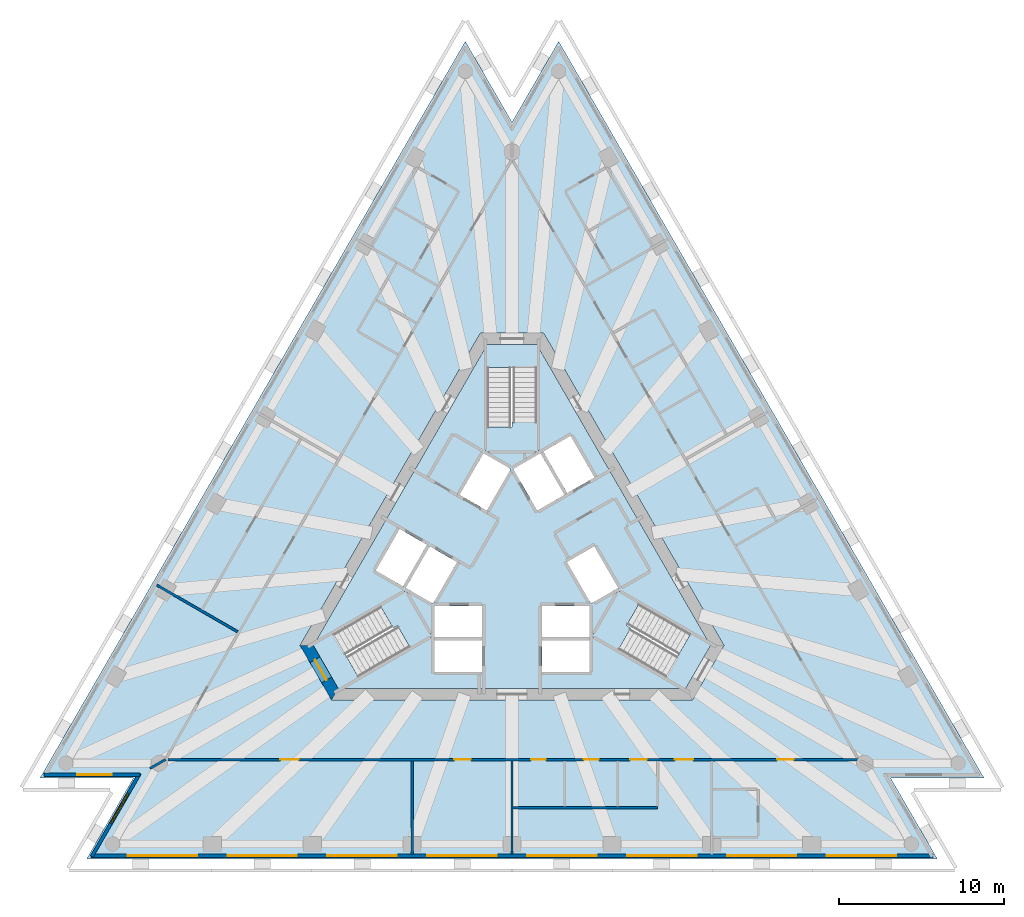
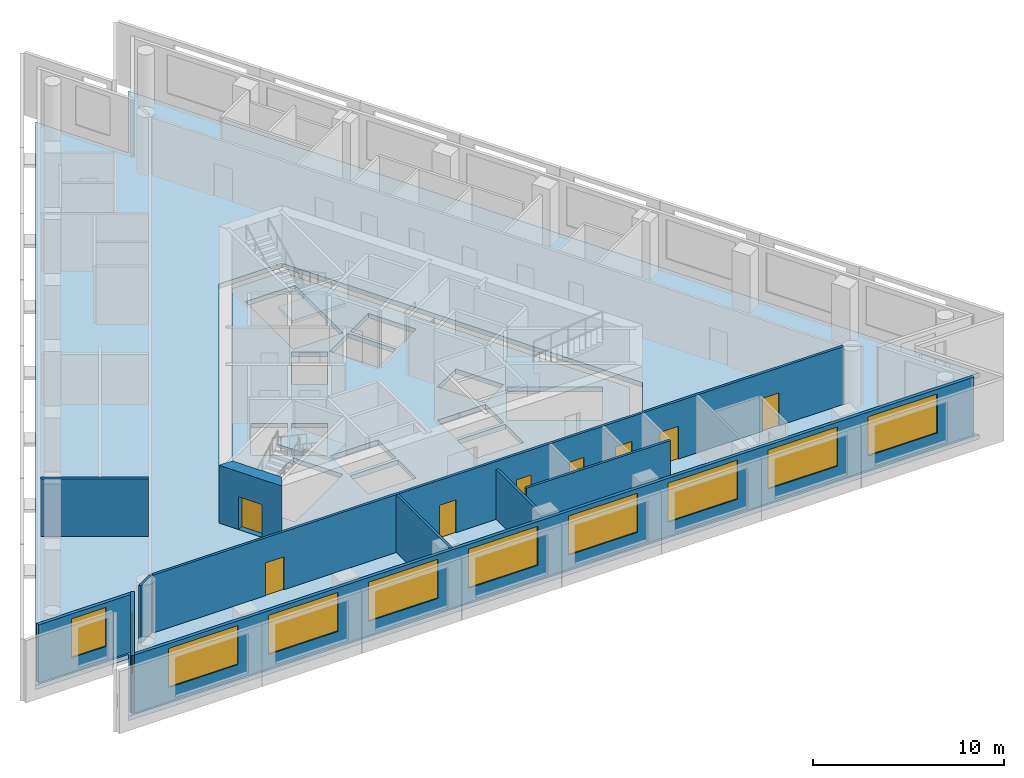
# One storey, part 2 of 9: 10 walls, 10 windows, 8 doors, 5 slabs, 18 openings, 3 elements without a shape of their own.
"""IFC4 building model written with IfcOpenShell, lengths in metres."""

from ifc_helpers import new_model, si_unit, direction, frame, frame_2d, origin, place, context, subcontext, project, spatial, polyline, rectangle, outline, extrude, material, layer, layer_set, layer_usage, type_object, element, fill, aggregate, save


model = new_model("IFC4")

# Units and contexts
model_context = context("Model", 3, precision=1e-05, world=origin(), true_north=direction((0.0, 1.0)))
body_context = subcontext(model_context, "Body", "Model", "MODEL_VIEW")
ifc_project = project(units=[si_unit("LENGTHUNIT", "METRE"), si_unit("AREAUNIT", "SQUARE_METRE"), si_unit("VOLUMEUNIT", "CUBIC_METRE"), si_unit("PLANEANGLEUNIT", "RADIAN"), si_unit("MASSUNIT", "GRAM", prefix="KILO")], contexts=[model_context])

# Site, building, storey
site_placement = place(None, origin())
site = spatial("IfcSite", under=ifc_project, at=site_placement, CompositionType="ELEMENT")
building_placement = place(site_placement, origin())
building = spatial("IfcBuilding", under=site, at=building_placement, Name="Triada Interchange Tower", CompositionType="ELEMENT")
storey_placement = place(building_placement, frame((0.0, 0.0, 223.300048828125)))
storey = spatial("IfcBuildingStorey", under=building, at=storey_placement, Name="L52", CompositionType="ELEMENT", Elevation=223.300048828125)

# Slabs
ifc_material_1 = material(Name="Concrete C50/60", Category="concrete")
ifc_layer_1 = layer(ifc_material_1, 0.300048828125)
ifc_layer_set_1 = layer_set([ifc_layer_1], Name="Floor slab 300")
slab_type_1 = type_object("IfcSlabType", Name="Floor slab 300", PredefinedType="FLOOR", material=ifc_layer_set_1)
slab_1_placement = place(storey_placement, frame((0.0, 0.0, -0.300048828125)))
element("IfcSlab", 1, at=slab_1_placement, inside=storey, type_object=slab_type_1, Name="Floor slab L52", PredefinedType="FLOOR", context=body_context, shape_type="SweptSolid", body=[
    extrude(outline(polyline([(-2.822998046875, 31.330078125), (-28.5439453125, -13.219970703125), (-22.89794921875, -13.219970703125), (-25.720947265625, -18.110107421875), (25.720947265625, -18.110107421875), (22.89794921875, -13.219970703125), (28.5439453125, -13.219970703125), (2.822998046875, 31.330078125), (0.0, 26.44091796875), (-2.822998046875, 31.330078125)]), holes=[polyline([(1.905029296875, 13.699951171875), (-1.905029296875, 13.699951171875), (-12.81689453125, -5.199951171875), (-10.912109375, -8.5), (10.912109375, -8.5), (12.81689453125, -5.199951171875), (1.905029296875, 13.699951171875)])]), origin(), (0.0, 0.0, 1.0), 0.300048828125),
])
slab_2_placement = place(storey_placement, frame((0.0, 0.0, -0.300048828125)))
element("IfcSlab", 2, at=slab_2_placement, inside=storey, type_object=slab_type_1, Name="Core floor slab L52 1", PredefinedType="FLOOR", context=body_context, shape_type="SweptSolid", body=[
    extrude(outline(polyline([(12.009033203125, -5.199951171875), (10.508056640625, -7.800048828125), (-10.508056640625, -7.800048828125), (-12.009033203125, -5.199951171875), (-1.5009765625, 13.0), (1.5009765625, 13.0), (12.009033203125, -5.199951171875)]), holes=[polyline([(9.2958984375, -7.09912109375), (10.7958984375, -4.5009765625), (6.466064453125, -2.0009765625), (4.966064453125, -4.59912109375), (9.2958984375, -7.09912109375)]), polyline([(4.77490234375, -2.669921875), (6.419921875, -1.719970703125), (4.969970703125, 0.791015625), (4.137939453125, 0.31103515625), (3.324951171875, -0.158935546875), (4.77490234375, -2.669921875)]), polyline([(1.89404296875, 6.52001953125), (3.343994140625, 4.009033203125), (4.989013671875, 4.958984375), (3.5390625, 7.469970703125), (1.89404296875, 6.52001953125)]), polyline([(1.800048828125, -4.89990234375), (1.800048828125, -6.4990234375), (1.800048828125, -6.800048828125), (4.699951171875, -6.800048828125), (4.699951171875, -4.89990234375), (1.800048828125, -4.89990234375)]), polyline([(4.699951171875, -2.800048828125), (1.800048828125, -2.800048828125), (1.800048828125, -4.699951171875), (4.699951171875, -4.699951171875), (4.699951171875, -2.800048828125)]), polyline([(0.074951171875, 5.469970703125), (1.52490234375, 2.958984375), (3.169921875, 3.908935546875), (1.719970703125, 6.419921875), (0.074951171875, 5.469970703125)]), polyline([(-1.5, 11.60009765625), (-1.5, 6.60009765625), (1.5, 6.60009765625), (1.5, 11.60009765625), (-1.5, 11.60009765625)]), polyline([(-1.52490234375, 2.958984375), (-0.074951171875, 5.469970703125), (-1.719970703125, 6.419921875), (-3.169921875, 3.908935546875), (-1.52490234375, 2.958984375)]), polyline([(-1.800048828125, -2.800048828125), (-4.699951171875, -2.800048828125), (-4.699951171875, -4.699951171875), (-1.800048828125, -4.699951171875), (-1.800048828125, -2.800048828125)]), polyline([(-4.699951171875, -6.800048828125), (-1.800048828125, -6.800048828125), (-1.800048828125, -6.4990234375), (-1.800048828125, -4.89990234375), (-4.699951171875, -4.89990234375), (-4.699951171875, -6.800048828125)]), polyline([(-3.367919921875, -0.134033203125), (-4.969970703125, 0.791015625), (-6.419921875, -1.719970703125), (-4.77490234375, -2.669921875), (-3.324951171875, -0.158935546875), (-3.367919921875, -0.134033203125)]), polyline([(-10.7958984375, -4.5009765625), (-9.2958984375, -7.09912109375), (-4.966064453125, -4.59912109375), (-6.466064453125, -2.0009765625), (-10.7958984375, -4.5009765625)]), polyline([(-6.593994140625, -1.6201171875), (-5.14404296875, 0.89111328125), (-6.7890625, 1.841064453125), (-8.239013671875, -0.669921875), (-6.593994140625, -1.6201171875)])]), origin(), (0.0, 0.0, 1.0), 0.300048828125),
])

# Stair, slab
ifc_material_2 = material(Name="Concrete C35/45", Category="concrete")
stair_type = type_object("IfcStairType", Name="HALF TURN STAIR 1400", PredefinedType="HALF_TURN_STAIR", material=ifc_material_2)
stair_1_placement = place(storey_placement, origin())
stair_1 = element("IfcStair", 3, at=stair_1_placement, inside=storey, type_object=stair_type, Name="Exit stair S50-1", PredefinedType="HALF_TURN_STAIR")
ifc_layer_2 = layer(ifc_material_2, 0.199951171875)
ifc_layer_set_2 = layer_set([ifc_layer_2], Name="STAIR LANDING 200")
slab_type_2 = type_object("IfcSlabType", Name="STAIR LANDING 200", PredefinedType="LANDING", material=ifc_layer_set_2)
slab_3_placement = place(storey_placement, frame((0.0, 0.0, 1.719970703125)))
slab_3 = element("IfcSlab", 4, at=slab_3_placement, type_object=slab_type_2, Name="S50-1 landing 1", PredefinedType="LANDING", context=body_context, shape_type="SweptSolid", body=[
    extrude(outline(polyline([(1.60009765625, 6.5), (1.60009765625, 8.300048828125), (0.0, 8.300048828125), (0.0, 8.0), (-1.60009765625, 8.0), (-1.60009765625, 6.5), (1.60009765625, 6.5)])), origin(), (0.0, 0.0, 1.0), 0.199951171875),
])
aggregate(stair_1, [slab_3])

stair_2_placement = place(storey_placement, origin())
stair_2 = element("IfcStair", 5, at=stair_2_placement, inside=storey, type_object=stair_type, Name="Exit stair S50-2", PredefinedType="HALF_TURN_STAIR")
slab_4_placement = place(storey_placement, frame((0.0, 0.0, 1.719970703125)))
slab_4 = element("IfcSlab", 6, at=slab_4_placement, type_object=slab_type_2, Name="S50-2 landing 1", PredefinedType="LANDING", context=body_context, shape_type="SweptSolid", body=[
    extrude(outline(polyline([(-6.428955078125, -1.864013671875), (-7.988037109375, -2.763916015625), (-7.18798828125, -4.14990234375), (-6.927978515625, -4.0), (-6.1279296875, -5.385986328125), (-4.8291015625, -4.635986328125), (-6.428955078125, -1.864013671875)])), origin(), (0.0, 0.0, 1.0), 0.199951171875),
])
aggregate(stair_2, [slab_4])

stair_3_placement = place(storey_placement, origin())
stair_3 = element("IfcStair", 7, at=stair_3_placement, inside=storey, type_object=stair_type, Name="Exit stair S50-3", PredefinedType="HALF_TURN_STAIR")
slab_5_placement = place(storey_placement, frame((0.0, 0.0, 1.719970703125)))
slab_5 = element("IfcSlab", 8, at=slab_5_placement, type_object=slab_type_2, Name="S50-3 landing 1", PredefinedType="LANDING", context=body_context, shape_type="SweptSolid", body=[
    extrude(outline(polyline([(4.8291015625, -4.635986328125), (6.387939453125, -5.535888671875), (7.18798828125, -4.14990234375), (6.927978515625, -4.0), (7.72802734375, -2.614013671875), (6.428955078125, -1.864013671875), (4.8291015625, -4.635986328125)])), origin(), (0.0, 0.0, 1.0), 0.199951171875),
])
aggregate(stair_3, [slab_5])

# Wall, opening, door
ifc_layer_3 = layer(ifc_material_1, 0.699951171875)
ifc_layer_set_3 = layer_set([ifc_layer_3], Name="Core wall C 700")
wall_type_1 = type_object("IfcWallType", Name="Core wall C 700", PredefinedType="SHEAR", material=ifc_layer_set_3)
wall_1_placement = place(storey_placement, frame((-12.4130859375, -5.199951171875, -0.300048828125), z_axis=(0.0, 0.0, 1.0), x_axis=(0.49999337185, -0.866029230515, 0.0)))
wall_1 = element("IfcWall", 9, at=wall_1_placement, inside=storey, type_object=wall_type_1, Name="Core wall WC03 L52", PredefinedType="SHEAR", context=body_context, shape_type="SweptSolid", body=[
    extrude(outline(polyline([(-0.201904296875, -0.35009765625), (1.703125, -0.35009765625), (3.60791015625, -0.35009765625), (3.2041015625, 0.35009765625), (1.703125, 0.35009765625), (0.201904296875, 0.35009765625), (-0.201904296875, -0.35009765625)])), origin(), (0.0, 0.0, 1.0), 4.0),
])
opening_1_placement = place(wall_1_placement, frame((1.0029296875, 0.0, 0.300048828125)))
opening_1 = element("IfcOpeningElement", 10, at=opening_1_placement, cuts=wall_1, Name="Opening D50-40", PredefinedType="OPENING", context=body_context, shape_type="SweptSolid", body=[
    extrude(rectangle(XDim=1.39990234375, YDim=2.10009765625, at=frame_2d((0.699951171875, 1.050048828125))), frame((0.0, 0.360107421875, 0.0), z_axis=(0.0, -1.0, 0.0), x_axis=(1.0, 0.0, 0.0)), (0.0, 0.0, 1.0), 0.72021484375),
])
ifc_material_3 = material(Name="Steel S235 door leaf", Category="steel")
door_type_1 = type_object("IfcDoorType", Name="STAIR DOOR 1400 EI2 90-C5S200", OperationType="DOUBLE_DOOR_SINGLE_SWING", PredefinedType="DOOR", material=ifc_material_3)
door_1_placement = place(opening_1_placement, origin())
door_1 = element("IfcDoor", 11, at=door_1_placement, inside=storey, type_object=door_type_1, Name="Door D50-40 L52", OperationType="DOUBLE_DOOR_SINGLE_SWING", OverallHeight=2.10009765625, OverallWidth=1.39990234375, PredefinedType="DOOR", context=body_context, shape_type="SweptSolid", body=[
    extrude(rectangle(XDim=1.39990234375, YDim=2.10009765625, at=frame_2d((0.699951171875, 1.050048828125))), frame((0.0, 0.02490234375, 0.0), z_axis=(0.0, -1.0, 0.0), x_axis=(1.0, 0.0, 0.0)), (0.0, 0.0, 1.0), 0.050048828125),
])
fill(opening_1, door_1)

# Wall, opening, window
ifc_material_4 = material(Name="Cement board")
ifc_layer_4 = layer(ifc_material_4, 0.02001953125, Name="Cement board cladding")
ifc_material_5 = material(Name="Sheathing board")
ifc_layer_5 = layer(ifc_material_5, 0.014892578125, Name="Sheathing board")
ifc_material_6 = material(Name="Mineral wool")
ifc_layer_6 = layer(ifc_material_6, 0.14990234375, Name="Mineral wool between steel studs")
ifc_material_7 = material(Name="Gypsum board")
ifc_layer_7 = layer(ifc_material_7, 0.014892578125, Name="Plasterboard lining")
ifc_layer_set_4 = layer_set([ifc_layer_4, ifc_layer_5, ifc_layer_6, ifc_layer_7], Name="External wall 200")
ifc_layer_usage = layer_usage(ifc_layer_set_4, "AXIS2", "POSITIVE", -0.10009765625)
wall_type_2 = type_object("IfcWallType", Name="External wall 200", PredefinedType="ELEMENTEDWALL", material=ifc_layer_set_4)
wall_2_placement = place(storey_placement, frame((-28.2880859375, -13.02001953125, 0.0), z_axis=(0.0, 0.0, 1.0), x_axis=(1.0, 0.0, 0.0)))
wall_2 = element("IfcWall", 12, at=wall_2_placement, inside=storey, type_object=wall_type_2, material=ifc_layer_usage, Name="External wall L52 SW-1", PredefinedType="ELEMENTEDWALL", context=body_context, shape_type="SweptSolid", body=[
    extrude(rectangle(XDim=5.80615234375, YDim=0.199951171875, at=frame_2d((2.903076171875, 0.0))), origin(), (0.0, 0.0, 1.0), 3.699951171875),
])
opening_2_placement = place(wall_2_placement, frame((1.989990234375, 0.0, 0.89990234375)))
opening_2 = element("IfcOpeningElement", 13, at=opening_2_placement, cuts=wall_2, Name="Opening WC09", PredefinedType="OPENING", context=body_context, shape_type="SweptSolid", body=[
    extrude(rectangle(XDim=2.10009765625, YDim=2.5, at=frame_2d((1.050048828125, 1.25))), frame((0.0, 0.10986328125, 0.0), z_axis=(0.0, -1.0, 0.0), x_axis=(1.0, 0.0, 0.0)), (0.0, 0.0, 1.0), 0.219970703125),
])
ifc_material_8 = material(Name="Double glazed aluminium window", Category="aluminium")
window_type_1 = type_object("IfcWindowType", Name="Ribbon window C pocket", PartitioningType="SINGLE_PANEL", PredefinedType="WINDOW", material=ifc_material_8)
window_1_placement = place(opening_2_placement, origin())
window_1 = element("IfcWindow", 14, at=window_1_placement, inside=storey, type_object=window_type_1, Name="Window L52 SW-1 1", OverallHeight=2.5, OverallWidth=2.10009765625, PartitioningType="SINGLE_PANEL", PredefinedType="WINDOW", context=body_context, shape_type="SweptSolid", body=[
    extrude(rectangle(XDim=2.10009765625, YDim=2.5, at=frame_2d((1.050048828125, 1.25))), frame((0.0, 0.030029296875, 0.0), z_axis=(0.0, -1.0, 0.0), x_axis=(1.0, 0.0, 0.0)), (0.0, 0.0, 1.0), 0.06005859375),
])
fill(opening_2, window_1)

wall_3_placement = place(storey_placement, frame((-22.507080078125, -12.94189453125, 0.0), z_axis=(0.0, 0.0, 1.0), x_axis=(-0.499910499212, -0.866077070922, 0.0)))
wall_3 = element("IfcWall", 15, at=wall_3_placement, inside=storey, type_object=wall_type_2, material=ifc_layer_usage, Name="External wall L52 SW-2", PredefinedType="ELEMENTEDWALL", context=body_context, shape_type="SweptSolid", body=[
    extrude(rectangle(XDim=5.806640625, YDim=0.199951171875, at=frame_2d((2.9033203125, 0.0))), origin(), (0.0, 0.0, 1.0), 3.699951171875),
])
opening_3_placement = place(wall_3_placement, frame((1.389892578125, 0.0, 0.89990234375)))
opening_3 = element("IfcOpeningElement", 16, at=opening_3_placement, cuts=wall_3, Name="Opening WC10", PredefinedType="OPENING", context=body_context, shape_type="SweptSolid", body=[
    extrude(rectangle(XDim=2.10009765625, YDim=2.5, at=frame_2d((1.050048828125, 1.25))), frame((0.0, 0.10986328125, 0.0), z_axis=(0.0, -1.0, 0.0), x_axis=(1.0, 0.0, 0.0)), (0.0, 0.0, 1.0), 0.219970703125),
])
window_2_placement = place(opening_3_placement, origin())
window_2 = element("IfcWindow", 17, at=window_2_placement, inside=storey, type_object=window_type_1, Name="Window L52 SW-2 1", OverallHeight=2.5, OverallWidth=2.10009765625, PartitioningType="SINGLE_PANEL", PredefinedType="WINDOW", context=body_context, shape_type="SweptSolid", body=[
    extrude(rectangle(XDim=2.10009765625, YDim=2.5, at=frame_2d((1.050048828125, 1.25))), frame((0.0, 0.030029296875, 0.0), z_axis=(0.0, -1.0, 0.0), x_axis=(1.0, 0.0, 0.0)), (0.0, 0.0, 1.0), 0.06005859375),
])
fill(opening_3, window_2)

# Wall, openings, windows
wall_4_placement = place(storey_placement, frame((-25.465087890625, -17.909912109375, 0.0), z_axis=(0.0, 0.0, 1.0), x_axis=(1.0, 0.0, 0.0)))
wall_4 = element("IfcWall", 18, at=wall_4_placement, inside=storey, type_object=wall_type_2, material=ifc_layer_usage, Name="External wall L52 S", PredefinedType="ELEMENTEDWALL", context=body_context, shape_type="SweptSolid", body=[
    extrude(rectangle(XDim=50.91015625, YDim=0.199951171875, at=frame_2d((25.455078125, 0.0))), origin(), (0.0, 0.0, 1.0), 3.699951171875),
])
opening_4_placement = place(wall_4_placement, frame((2.222900390625, 0.0, 0.89990234375)))
opening_4 = element("IfcOpeningElement", 19, at=opening_4_placement, cuts=wall_4, Name="Opening WC11", PredefinedType="OPENING", context=body_context, shape_type="SweptSolid", body=[
    extrude(rectangle(XDim=4.199951171875, YDim=2.5, at=frame_2d((2.10009765625, 1.25))), frame((0.0, 0.10986328125, 0.0), z_axis=(0.0, -1.0, 0.0), x_axis=(1.0, 0.0, 0.0)), (0.0, 0.0, 1.0), 0.219970703125),
])
opening_5_placement = place(wall_4_placement, frame((8.263916015625, 0.0, 0.89990234375)))
opening_5 = element("IfcOpeningElement", 20, at=opening_5_placement, cuts=wall_4, Name="Opening WC12", PredefinedType="OPENING", context=body_context, shape_type="SweptSolid", body=[
    extrude(rectangle(XDim=4.199951171875, YDim=2.5, at=frame_2d((2.10009765625, 1.25))), frame((0.0, 0.10986328125, 0.0), z_axis=(0.0, -1.0, 0.0), x_axis=(1.0, 0.0, 0.0)), (0.0, 0.0, 1.0), 0.219970703125),
])
opening_6_placement = place(wall_4_placement, frame((14.303955078125, 0.0, 0.89990234375)))
opening_6 = element("IfcOpeningElement", 21, at=opening_6_placement, cuts=wall_4, Name="Opening WC13", PredefinedType="OPENING", context=body_context, shape_type="SweptSolid", body=[
    extrude(rectangle(XDim=4.199951171875, YDim=2.5, at=frame_2d((2.10009765625, 1.25))), frame((0.0, 0.10986328125, 0.0), z_axis=(0.0, -1.0, 0.0), x_axis=(1.0, 0.0, 0.0)), (0.0, 0.0, 1.0), 0.219970703125),
])
opening_7_placement = place(wall_4_placement, frame((20.344970703125, 0.0, 0.89990234375)))
opening_7 = element("IfcOpeningElement", 22, at=opening_7_placement, cuts=wall_4, Name="Opening WC14", PredefinedType="OPENING", context=body_context, shape_type="SweptSolid", body=[
    extrude(rectangle(XDim=4.199951171875, YDim=2.5, at=frame_2d((2.10009765625, 1.25))), frame((0.0, 0.10986328125, 0.0), z_axis=(0.0, -1.0, 0.0), x_axis=(1.0, 0.0, 0.0)), (0.0, 0.0, 1.0), 0.219970703125),
])
opening_8_placement = place(wall_4_placement, frame((26.385009765625, 0.0, 0.89990234375)))
opening_8 = element("IfcOpeningElement", 23, at=opening_8_placement, cuts=wall_4, Name="Opening WC15", PredefinedType="OPENING", context=body_context, shape_type="SweptSolid", body=[
    extrude(rectangle(XDim=4.199951171875, YDim=2.5, at=frame_2d((2.10009765625, 1.25))), frame((0.0, 0.10986328125, 0.0), z_axis=(0.0, -1.0, 0.0), x_axis=(1.0, 0.0, 0.0)), (0.0, 0.0, 1.0), 0.219970703125),
])
opening_9_placement = place(wall_4_placement, frame((32.426025390625, 0.0, 0.89990234375)))
opening_9 = element("IfcOpeningElement", 24, at=opening_9_placement, cuts=wall_4, Name="Opening WC16", PredefinedType="OPENING", context=body_context, shape_type="SweptSolid", body=[
    extrude(rectangle(XDim=4.199951171875, YDim=2.5, at=frame_2d((2.10009765625, 1.25))), frame((0.0, 0.10986328125, 0.0), z_axis=(0.0, -1.0, 0.0), x_axis=(1.0, 0.0, 0.0)), (0.0, 0.0, 1.0), 0.219970703125),
])
opening_10_placement = place(wall_4_placement, frame((38.466064453125, 0.0, 0.89990234375)))
opening_10 = element("IfcOpeningElement", 25, at=opening_10_placement, cuts=wall_4, Name="Opening WC17", PredefinedType="OPENING", context=body_context, shape_type="SweptSolid", body=[
    extrude(rectangle(XDim=4.199951171875, YDim=2.5, at=frame_2d((2.10009765625, 1.25))), frame((0.0, 0.10986328125, 0.0), z_axis=(0.0, -1.0, 0.0), x_axis=(1.0, 0.0, 0.0)), (0.0, 0.0, 1.0), 0.219970703125),
])
opening_11_placement = place(wall_4_placement, frame((44.507080078125, 0.0, 0.89990234375)))
opening_11 = element("IfcOpeningElement", 26, at=opening_11_placement, cuts=wall_4, Name="Opening WC18", PredefinedType="OPENING", context=body_context, shape_type="SweptSolid", body=[
    extrude(rectangle(XDim=4.199951171875, YDim=2.5, at=frame_2d((2.10009765625, 1.25))), frame((0.0, 0.10986328125, 0.0), z_axis=(0.0, -1.0, 0.0), x_axis=(1.0, 0.0, 0.0)), (0.0, 0.0, 1.0), 0.219970703125),
])
window_type_2 = type_object("IfcWindowType", Name="Ribbon window C face", PartitioningType="SINGLE_PANEL", PredefinedType="WINDOW", material=ifc_material_8)
window_3_placement = place(opening_4_placement, origin())
window_3 = element("IfcWindow", 27, at=window_3_placement, inside=storey, type_object=window_type_2, Name="Window L52 S 1", OverallHeight=2.5, OverallWidth=4.199951171875, PartitioningType="SINGLE_PANEL", PredefinedType="WINDOW", context=body_context, shape_type="SweptSolid", body=[
    extrude(rectangle(XDim=4.199951171875, YDim=2.5, at=frame_2d((2.10009765625, 1.25))), frame((0.0, 0.030029296875, 0.0), z_axis=(0.0, -1.0, 0.0), x_axis=(1.0, 0.0, 0.0)), (0.0, 0.0, 1.0), 0.06005859375),
])
fill(opening_4, window_3)
window_4_placement = place(opening_5_placement, origin())
window_4 = element("IfcWindow", 28, at=window_4_placement, inside=storey, type_object=window_type_2, Name="Window L52 S 2", OverallHeight=2.5, OverallWidth=4.199951171875, PartitioningType="SINGLE_PANEL", PredefinedType="WINDOW", context=body_context, shape_type="SweptSolid", body=[
    extrude(rectangle(XDim=4.199951171875, YDim=2.5, at=frame_2d((2.10009765625, 1.25))), frame((0.0, 0.030029296875, 0.0), z_axis=(0.0, -1.0, 0.0), x_axis=(1.0, 0.0, 0.0)), (0.0, 0.0, 1.0), 0.06005859375),
])
fill(opening_5, window_4)
window_5_placement = place(opening_6_placement, origin())
window_5 = element("IfcWindow", 29, at=window_5_placement, inside=storey, type_object=window_type_2, Name="Window L52 S 3", OverallHeight=2.5, OverallWidth=4.199951171875, PartitioningType="SINGLE_PANEL", PredefinedType="WINDOW", context=body_context, shape_type="SweptSolid", body=[
    extrude(rectangle(XDim=4.199951171875, YDim=2.5, at=frame_2d((2.10009765625, 1.25))), frame((0.0, 0.030029296875, 0.0), z_axis=(0.0, -1.0, 0.0), x_axis=(1.0, 0.0, 0.0)), (0.0, 0.0, 1.0), 0.06005859375),
])
fill(opening_6, window_5)
window_6_placement = place(opening_7_placement, origin())
window_6 = element("IfcWindow", 30, at=window_6_placement, inside=storey, type_object=window_type_2, Name="Window L52 S 4", OverallHeight=2.5, OverallWidth=4.199951171875, PartitioningType="SINGLE_PANEL", PredefinedType="WINDOW", context=body_context, shape_type="SweptSolid", body=[
    extrude(rectangle(XDim=4.199951171875, YDim=2.5, at=frame_2d((2.10009765625, 1.25))), frame((0.0, 0.030029296875, 0.0), z_axis=(0.0, -1.0, 0.0), x_axis=(1.0, 0.0, 0.0)), (0.0, 0.0, 1.0), 0.06005859375),
])
fill(opening_7, window_6)
window_7_placement = place(opening_8_placement, origin())
window_7 = element("IfcWindow", 31, at=window_7_placement, inside=storey, type_object=window_type_2, Name="Window L52 S 5", OverallHeight=2.5, OverallWidth=4.199951171875, PartitioningType="SINGLE_PANEL", PredefinedType="WINDOW", context=body_context, shape_type="SweptSolid", body=[
    extrude(rectangle(XDim=4.199951171875, YDim=2.5, at=frame_2d((2.10009765625, 1.25))), frame((0.0, 0.030029296875, 0.0), z_axis=(0.0, -1.0, 0.0), x_axis=(1.0, 0.0, 0.0)), (0.0, 0.0, 1.0), 0.06005859375),
])
fill(opening_8, window_7)
window_8_placement = place(opening_9_placement, origin())
window_8 = element("IfcWindow", 32, at=window_8_placement, inside=storey, type_object=window_type_2, Name="Window L52 S 6", OverallHeight=2.5, OverallWidth=4.199951171875, PartitioningType="SINGLE_PANEL", PredefinedType="WINDOW", context=body_context, shape_type="SweptSolid", body=[
    extrude(rectangle(XDim=4.199951171875, YDim=2.5, at=frame_2d((2.10009765625, 1.25))), frame((0.0, 0.030029296875, 0.0), z_axis=(0.0, -1.0, 0.0), x_axis=(1.0, 0.0, 0.0)), (0.0, 0.0, 1.0), 0.06005859375),
])
fill(opening_9, window_8)
window_9_placement = place(opening_10_placement, origin())
window_9 = element("IfcWindow", 33, at=window_9_placement, inside=storey, type_object=window_type_2, Name="Window L52 S 7", OverallHeight=2.5, OverallWidth=4.199951171875, PartitioningType="SINGLE_PANEL", PredefinedType="WINDOW", context=body_context, shape_type="SweptSolid", body=[
    extrude(rectangle(XDim=4.199951171875, YDim=2.5, at=frame_2d((2.10009765625, 1.25))), frame((0.0, 0.030029296875, 0.0), z_axis=(0.0, -1.0, 0.0), x_axis=(1.0, 0.0, 0.0)), (0.0, 0.0, 1.0), 0.06005859375),
])
fill(opening_10, window_9)
window_10_placement = place(opening_11_placement, origin())
window_10 = element("IfcWindow", 34, at=window_10_placement, inside=storey, type_object=window_type_2, Name="Window L52 S 8", OverallHeight=2.5, OverallWidth=4.199951171875, PartitioningType="SINGLE_PANEL", PredefinedType="WINDOW", context=body_context, shape_type="SweptSolid", body=[
    extrude(rectangle(XDim=4.199951171875, YDim=2.5, at=frame_2d((2.10009765625, 1.25))), frame((0.0, 0.030029296875, 0.0), z_axis=(0.0, -1.0, 0.0), x_axis=(1.0, 0.0, 0.0)), (0.0, 0.0, 1.0), 0.06005859375),
])
fill(opening_11, window_10)

# Walls
ifc_material_9 = material(Name="Gypsum board partition")
ifc_layer_8 = layer(ifc_material_9, 0.14990234375)
ifc_layer_set_5 = layer_set([ifc_layer_8], Name="PARTITION 150 EI 180")
wall_type_3 = type_object("IfcWallType", Name="PARTITION 150 EI 180", PredefinedType="PARTITIONING", material=ifc_layer_set_5)
wall_5_placement = place(storey_placement, frame((-21.8759765625, -12.6298828125, 0.0), z_axis=(0.0, 0.0, 1.0), x_axis=(0.865940358422, 0.500147273966, 0.0)))
element("IfcWall", 35, at=wall_5_placement, inside=storey, type_object=wall_type_3, Name="Wall L50 1", PredefinedType="PARTITIONING", context=body_context, shape_type="SweptSolid", body=[
    extrude(rectangle(XDim=1.061279296875, YDim=0.14990234375, at=frame_2d((0.53076171875, 0.0))), origin(), (0.0, 0.0, 1.0), 3.699951171875),
])
wall_6_placement = place(storey_placement, frame((-21.48095703125, -1.548095703125, 0.0), z_axis=(0.0, 0.0, 1.0), x_axis=(0.866053291823, -0.49995169339, 0.0)))
element("IfcWall", 36, at=wall_6_placement, inside=storey, type_object=wall_type_3, Name="Wall L50 3", PredefinedType="PARTITIONING", context=body_context, shape_type="SweptSolid", body=[
    extrude(rectangle(XDim=5.654296875, YDim=0.14990234375, at=frame_2d((2.8271484375, 0.0))), origin(), (0.0, 0.0, 1.0), 3.699951171875),
])

# Wall, openings, doors
wall_7_placement = place(storey_placement, frame((-20.80810546875, -12.10009765625, 0.0), z_axis=(0.0, 0.0, 1.0), x_axis=(1.0, 0.0, 0.0)))
wall_7 = element("IfcWall", 37, at=wall_7_placement, inside=storey, type_object=wall_type_3, Name="Wall L50 5", PredefinedType="PARTITIONING", context=body_context, shape_type="SweptSolid", body=[
    extrude(rectangle(XDim=41.76611328125, YDim=0.14990234375, at=frame_2d((20.883056640625, 0.0))), origin(), (0.0, 0.0, 1.0), 3.699951171875),
])
opening_12_placement = place(wall_7_placement, frame((6.800048828125, 0.0, 0.0)))
opening_12 = element("IfcOpeningElement", 38, at=opening_12_placement, cuts=wall_7, Name="Opening D50-11", PredefinedType="OPENING", context=body_context, shape_type="SweptSolid", body=[
    extrude(rectangle(XDim=1.10009765625, YDim=2.10009765625, at=frame_2d((0.550048828125, 1.050048828125))), frame((0.0, 0.0849609375, 0.0), z_axis=(0.0, -1.0, 0.0), x_axis=(1.0, 0.0, 0.0)), (0.0, 0.0, 1.0), 0.169921875),
])
opening_13_placement = place(wall_7_placement, frame((17.31689453125, 0.0, 0.0)))
opening_13 = element("IfcOpeningElement", 39, at=opening_13_placement, cuts=wall_7, Name="Opening D50-12", PredefinedType="OPENING", context=body_context, shape_type="SweptSolid", body=[
    extrude(rectangle(XDim=1.0, YDim=2.10009765625, at=frame_2d((0.5, 1.050048828125))), frame((0.0, 0.0849609375, 0.0), z_axis=(0.0, -1.0, 0.0), x_axis=(1.0, 0.0, 0.0)), (0.0, 0.0, 1.0), 0.169921875),
])
opening_14_placement = place(wall_7_placement, frame((30.657958984375, 0.0, 0.0)))
opening_14 = element("IfcOpeningElement", 40, at=opening_14_placement, cuts=wall_7, Name="Opening D50-13", PredefinedType="OPENING", context=body_context, shape_type="SweptSolid", body=[
    extrude(rectangle(XDim=1.10009765625, YDim=2.10009765625, at=frame_2d((0.550048828125, 1.050048828125))), frame((0.0, 0.0849609375, 0.0), z_axis=(0.0, -1.0, 0.0), x_axis=(1.0, 0.0, 0.0)), (0.0, 0.0, 1.0), 0.169921875),
])
opening_15_placement = place(wall_7_placement, frame((21.9580078125, 0.0, 0.0)))
opening_15 = element("IfcOpeningElement", 41, at=opening_15_placement, cuts=wall_7, Name="Opening D50-14", PredefinedType="OPENING", context=body_context, shape_type="SweptSolid", body=[
    extrude(rectangle(XDim=0.89990234375, YDim=2.10009765625, at=frame_2d((0.449951171875, 1.050048828125))), frame((0.0, 0.0849609375, 0.0), z_axis=(0.0, -1.0, 0.0), x_axis=(1.0, 0.0, 0.0)), (0.0, 0.0, 1.0), 0.169921875),
])
opening_16_placement = place(wall_7_placement, frame((25.157958984375, 0.0, 0.0)))
opening_16 = element("IfcOpeningElement", 42, at=opening_16_placement, cuts=wall_7, Name="Opening D50-15", PredefinedType="OPENING", context=body_context, shape_type="SweptSolid", body=[
    extrude(rectangle(XDim=0.89990234375, YDim=2.10009765625, at=frame_2d((0.449951171875, 1.050048828125))), frame((0.0, 0.0849609375, 0.0), z_axis=(0.0, -1.0, 0.0), x_axis=(1.0, 0.0, 0.0)), (0.0, 0.0, 1.0), 0.169921875),
])
opening_17_placement = place(wall_7_placement, frame((27.9580078125, 0.0, 0.0)))
opening_17 = element("IfcOpeningElement", 43, at=opening_17_placement, cuts=wall_7, Name="Opening D50-16", PredefinedType="OPENING", context=body_context, shape_type="SweptSolid", body=[
    extrude(rectangle(XDim=1.0, YDim=2.10009765625, at=frame_2d((0.5, 1.050048828125))), frame((0.0, 0.0849609375, 0.0), z_axis=(0.0, -1.0, 0.0), x_axis=(1.0, 0.0, 0.0)), (0.0, 0.0, 1.0), 0.169921875),
])
opening_18_placement = place(wall_7_placement, frame((36.839111328125, 0.0, 0.0)))
opening_18 = element("IfcOpeningElement", 44, at=opening_18_placement, cuts=wall_7, Name="Opening D50-17", PredefinedType="OPENING", context=body_context, shape_type="SweptSolid", body=[
    extrude(rectangle(XDim=1.0, YDim=2.10009765625, at=frame_2d((0.5, 1.050048828125))), frame((0.0, 0.0849609375, 0.0), z_axis=(0.0, -1.0, 0.0), x_axis=(1.0, 0.0, 0.0)), (0.0, 0.0, 1.0), 0.169921875),
])
door_type_2 = type_object("IfcDoorType", Name="ROOM DOOR 1000 EI2 90-C5S200", OperationType="NOTDEFINED", PredefinedType="DOOR", material=ifc_material_3)
door_2_placement = place(opening_13_placement, origin())
door_2 = element("IfcDoor", 45, at=door_2_placement, inside=storey, type_object=door_type_2, Name="Door D50-12 L52", OperationType="SINGLE_SWING_RIGHT", OverallHeight=2.10009765625, OverallWidth=1.0, PredefinedType="DOOR", context=body_context, shape_type="SweptSolid", body=[
    extrude(rectangle(XDim=1.0, YDim=2.10009765625, at=frame_2d((0.5, 1.050048828125))), frame((0.0, 0.02490234375, 0.0), z_axis=(0.0, -1.0, 0.0), x_axis=(1.0, 0.0, 0.0)), (0.0, 0.0, 1.0), 0.050048828125),
])
fill(opening_13, door_2)
door_3_placement = place(opening_17_placement, origin())
door_3 = element("IfcDoor", 46, at=door_3_placement, inside=storey, type_object=door_type_2, Name="Door D50-16 L52", OperationType="SINGLE_SWING_RIGHT", OverallHeight=2.10009765625, OverallWidth=1.0, PredefinedType="DOOR", context=body_context, shape_type="SweptSolid", body=[
    extrude(rectangle(XDim=1.0, YDim=2.10009765625, at=frame_2d((0.5, 1.050048828125))), frame((0.0, 0.02490234375, 0.0), z_axis=(0.0, -1.0, 0.0), x_axis=(1.0, 0.0, 0.0)), (0.0, 0.0, 1.0), 0.050048828125),
])
fill(opening_17, door_3)
door_4_placement = place(opening_18_placement, origin())
door_4 = element("IfcDoor", 47, at=door_4_placement, inside=storey, type_object=door_type_2, Name="Door D50-17 L52", OperationType="SINGLE_SWING_LEFT", OverallHeight=2.10009765625, OverallWidth=1.0, PredefinedType="DOOR", context=body_context, shape_type="SweptSolid", body=[
    extrude(rectangle(XDim=1.0, YDim=2.10009765625, at=frame_2d((0.5, 1.050048828125))), frame((0.0, 0.02490234375, 0.0), z_axis=(0.0, -1.0, 0.0), x_axis=(1.0, 0.0, 0.0)), (0.0, 0.0, 1.0), 0.050048828125),
])
fill(opening_18, door_4)
door_type_3 = type_object("IfcDoorType", Name="ROOM DOOR 900 EI2 90-C5S200", OperationType="NOTDEFINED", PredefinedType="DOOR", material=ifc_material_3)
door_5_placement = place(opening_15_placement, origin())
door_5 = element("IfcDoor", 48, at=door_5_placement, inside=storey, type_object=door_type_3, Name="Door D50-14 L52", OperationType="SINGLE_SWING_RIGHT", OverallHeight=2.10009765625, OverallWidth=0.89990234375, PredefinedType="DOOR", context=body_context, shape_type="SweptSolid", body=[
    extrude(rectangle(XDim=0.89990234375, YDim=2.10009765625, at=frame_2d((0.449951171875, 1.050048828125))), frame((0.0, 0.02490234375, 0.0), z_axis=(0.0, -1.0, 0.0), x_axis=(1.0, 0.0, 0.0)), (0.0, 0.0, 1.0), 0.050048828125),
])
fill(opening_15, door_5)
door_6_placement = place(opening_16_placement, origin())
door_6 = element("IfcDoor", 49, at=door_6_placement, inside=storey, type_object=door_type_3, Name="Door D50-15 L52", OperationType="SINGLE_SWING_RIGHT", OverallHeight=2.10009765625, OverallWidth=0.89990234375, PredefinedType="DOOR", context=body_context, shape_type="SweptSolid", body=[
    extrude(rectangle(XDim=0.89990234375, YDim=2.10009765625, at=frame_2d((0.449951171875, 1.050048828125))), frame((0.0, 0.02490234375, 0.0), z_axis=(0.0, -1.0, 0.0), x_axis=(1.0, 0.0, 0.0)), (0.0, 0.0, 1.0), 0.050048828125),
])
fill(opening_16, door_6)
door_type_4 = type_object("IfcDoorType", Name="TENANCY ENTRANCE DOOR 1100 EI2 90-C5S200", OperationType="NOTDEFINED", PredefinedType="DOOR", material=ifc_material_3)
door_7_placement = place(opening_12_placement, origin())
door_7 = element("IfcDoor", 50, at=door_7_placement, inside=storey, type_object=door_type_4, Name="Door D50-11 L52", OperationType="SINGLE_SWING_RIGHT", OverallHeight=2.10009765625, OverallWidth=1.10009765625, PredefinedType="DOOR", context=body_context, shape_type="SweptSolid", body=[
    extrude(rectangle(XDim=1.10009765625, YDim=2.10009765625, at=frame_2d((0.550048828125, 1.050048828125))), frame((0.0, 0.02490234375, 0.0), z_axis=(0.0, -1.0, 0.0), x_axis=(1.0, 0.0, 0.0)), (0.0, 0.0, 1.0), 0.050048828125),
])
fill(opening_12, door_7)
door_8_placement = place(opening_14_placement, origin())
door_8 = element("IfcDoor", 51, at=door_8_placement, inside=storey, type_object=door_type_4, Name="Door D50-13 L52", OperationType="SINGLE_SWING_LEFT", OverallHeight=2.10009765625, OverallWidth=1.10009765625, PredefinedType="DOOR", context=body_context, shape_type="SweptSolid", body=[
    extrude(rectangle(XDim=1.10009765625, YDim=2.10009765625, at=frame_2d((0.550048828125, 1.050048828125))), frame((0.0, 0.02490234375, 0.0), z_axis=(0.0, -1.0, 0.0), x_axis=(1.0, 0.0, 0.0)), (0.0, 0.0, 1.0), 0.050048828125),
])
fill(opening_14, door_8)

# Walls
wall_8_placement = place(storey_placement, frame((-6.041015625, -17.830078125, 0.0), z_axis=(0.0, 0.0, 1.0), x_axis=(0.0, 1.0, 0.0)))
element("IfcWall", 52, at=wall_8_placement, inside=storey, type_object=wall_type_3, Name="Wall L50 12", PredefinedType="PARTITIONING", context=body_context, shape_type="SweptSolid", body=[
    extrude(rectangle(XDim=5.655029296875, YDim=0.14990234375, at=frame_2d((2.82763671875, 0.0))), origin(), (0.0, 0.0, 1.0), 3.699951171875),
])
wall_9_placement = place(storey_placement, frame((0.0, -17.830078125, 0.0), z_axis=(0.0, 0.0, 1.0), x_axis=(0.0, 1.0, 0.0)))
element("IfcWall", 53, at=wall_9_placement, inside=storey, type_object=wall_type_3, Name="Wall L50 13", PredefinedType="PARTITIONING", context=body_context, shape_type="SweptSolid", body=[
    extrude(rectangle(XDim=5.655029296875, YDim=0.14990234375, at=frame_2d((2.82763671875, 0.0))), origin(), (0.0, 0.0, 1.0), 3.199951171875),
])
wall_10_placement = place(storey_placement, frame((0.074951171875, -15.0048828125, 0.0), z_axis=(0.0, 0.0, 1.0), x_axis=(1.0, 0.0, 0.0)))
element("IfcWall", 54, at=wall_10_placement, inside=storey, type_object=wall_type_3, Name="Wall L50 15", PredefinedType="PARTITIONING", context=body_context, shape_type="SweptSolid", body=[
    extrude(rectangle(XDim=8.72509765625, YDim=0.14990234375, at=frame_2d((4.362548828125, 0.0))), origin(), (0.0, 0.0, 1.0), 3.699951171875),
])

save(model, "model.ifc")
